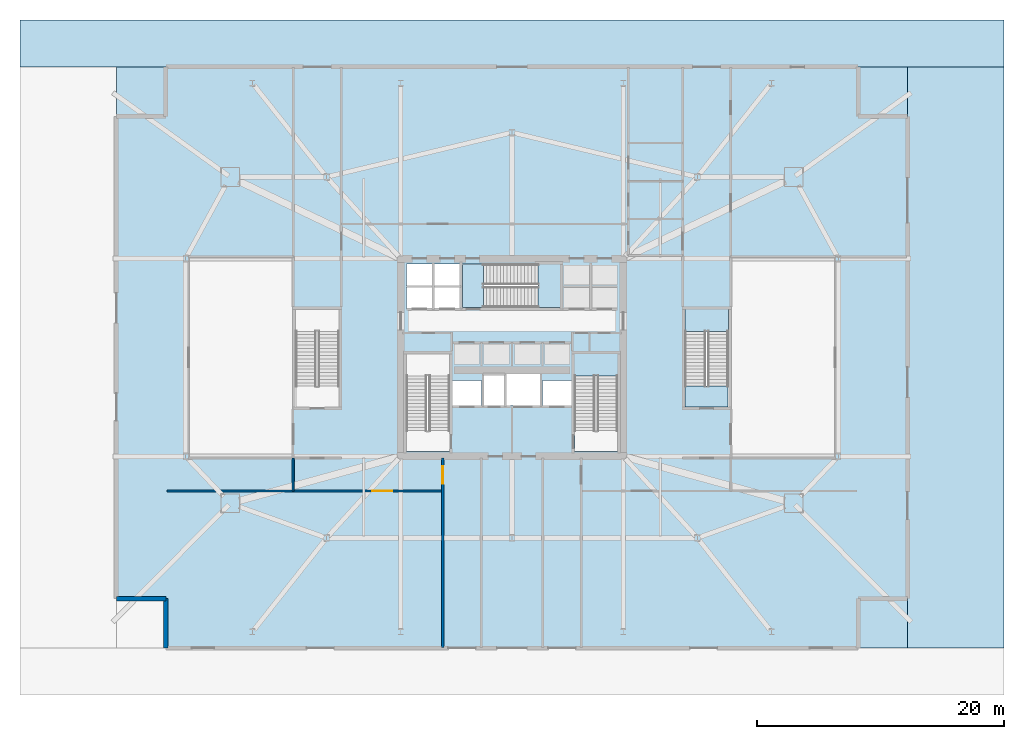
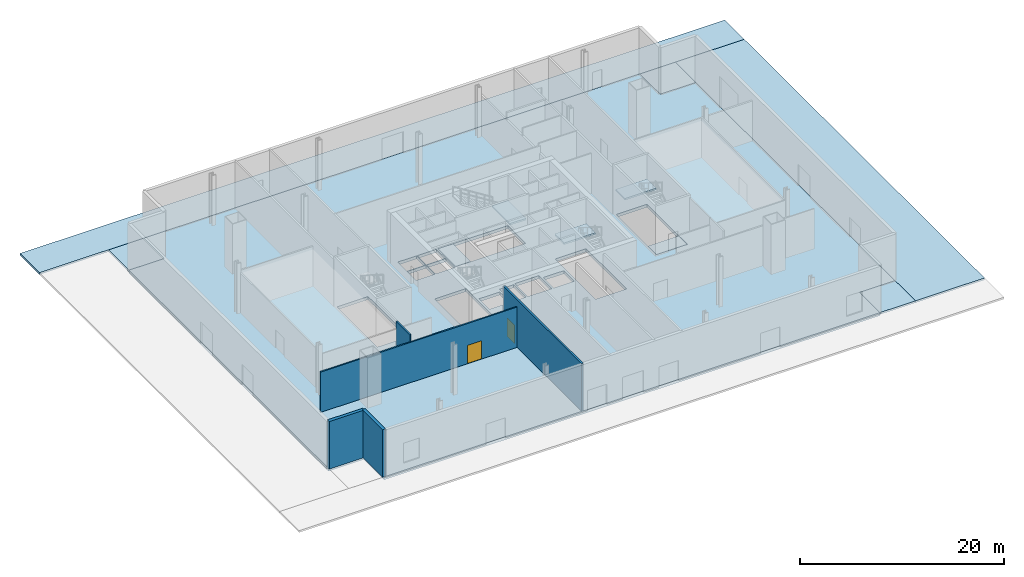
# One storey, part 2 of 10: 11 slabs, 5 walls, 2 doors, 2 openings, 3 elements without a shape of their own.
"""IFC4 building model written with IfcOpenShell, lengths in metres."""

from ifc_helpers import new_model, si_unit, direction, frame, frame_2d, origin, place, context, subcontext, project, spatial, polyline, rectangle, outline, extrude, material, layer, layer_set, type_object, element, fill, aggregate, save


model = new_model("IFC4")

# Units and contexts
model_context = context("Model", 3, precision=1e-05, world=origin(), true_north=direction((0.0, 1.0)))
body_context = subcontext(model_context, "Body", "Model", "MODEL_VIEW")
ifc_project = project(units=[si_unit("LENGTHUNIT", "METRE"), si_unit("AREAUNIT", "SQUARE_METRE"), si_unit("VOLUMEUNIT", "CUBIC_METRE"), si_unit("PLANEANGLEUNIT", "RADIAN"), si_unit("MASSUNIT", "GRAM", prefix="KILO")], contexts=[model_context])

# Site, building, storey
site_placement = place(None, origin())
site = spatial("IfcSite", under=ifc_project, at=site_placement, CompositionType="ELEMENT")
building_placement = place(site_placement, origin())
building = spatial("IfcBuilding", under=site, at=building_placement, Name="Haldenkirk Collegiate Tower", CompositionType="ELEMENT")
storey_placement = place(building_placement, origin())
storey = spatial("IfcBuildingStorey", under=building, at=storey_placement, Name="L00", CompositionType="ELEMENT", Elevation=0.0)

# Slab
ifc_material_1 = material(Name="Concrete f'c 40 MPa", Category="concrete")
ifc_layer_1 = layer(ifc_material_1, 0.360107421875)
ifc_layer_set_1 = layer_set([ifc_layer_1], Name="Concrete f'c 40 MPa")
slab_type_1 = type_object("IfcSlabType", Name="SLB-FLR-360", PredefinedType="FLOOR", material=ifc_layer_set_1)
slab_1_placement = place(storey_placement, frame((0.0, 0.0, -0.360107421875)))
element("IfcSlab", 1, at=slab_1_placement, inside=storey, type_object=slab_type_1, Name="L00 composite structural floor slab", PredefinedType="FLOOR", context=body_context, shape_type="SweptSolid", body=[
    extrude(outline(polyline([(8.0, 2.5), (64.0, 2.5), (64.0, 6.5), (68.0, 6.5), (68.0, 45.5), (64.0, 45.5), (64.0, 49.5), (8.0, 49.5), (8.0, 45.5), (4.0, 45.5), (4.0, 6.5), (8.0, 6.5), (8.0, 2.5)]), holes=[polyline([(27.449951171875, 18.39990234375), (30.949951171875, 18.39990234375), (30.949951171875, 26.300048828125), (27.449951171875, 26.300048828125), (27.449951171875, 18.39990234375)]), polyline([(41.050048828125, 18.39990234375), (44.550048828125, 18.39990234375), (44.550048828125, 26.300048828125), (41.050048828125, 26.300048828125), (41.050048828125, 18.39990234375)]), polyline([(32.0, 30.050048828125), (39.89990234375, 30.050048828125), (39.89990234375, 33.550048828125), (32.0, 33.550048828125), (32.0, 30.050048828125)]), polyline([(33.75, 22.10009765625), (35.35009765625, 22.10009765625), (35.35009765625, 24.550048828125), (33.75, 24.550048828125), (33.75, 22.10009765625)]), polyline([(18.5, 22.0), (22.0, 22.0), (22.0, 29.89990234375), (18.5, 29.89990234375), (18.5, 22.0)]), polyline([(50.0, 22.0), (53.5, 22.0), (53.5, 29.89990234375), (50.0, 29.89990234375), (50.0, 22.0)]), polyline([(27.449951171875, 29.949951171875), (29.580078125, 29.949951171875), (29.580078125, 31.699951171875), (27.449951171875, 31.699951171875), (27.449951171875, 29.949951171875)]), polyline([(29.679931640625, 29.949951171875), (31.85009765625, 29.949951171875), (31.85009765625, 31.699951171875), (29.679931640625, 31.699951171875), (29.679931640625, 29.949951171875)]), polyline([(27.449951171875, 31.800048828125), (29.580078125, 31.800048828125), (29.580078125, 33.550048828125), (27.449951171875, 33.550048828125), (27.449951171875, 31.800048828125)]), polyline([(29.679931640625, 31.800048828125), (31.85009765625, 31.800048828125), (31.85009765625, 33.550048828125), (29.679931640625, 33.550048828125), (29.679931640625, 31.800048828125)]), polyline([(31.199951171875, 22.10009765625), (33.550048828125, 22.10009765625), (33.550048828125, 24.14990234375), (31.199951171875, 24.14990234375), (31.199951171875, 22.10009765625)]), polyline([(38.449951171875, 22.10009765625), (40.800048828125, 22.10009765625), (40.800048828125, 24.14990234375), (38.449951171875, 24.14990234375), (38.449951171875, 22.10009765625)]), polyline([(35.550048828125, 22.10009765625), (38.25, 22.10009765625), (38.25, 24.64990234375), (35.550048828125, 24.64990234375), (35.550048828125, 22.10009765625)])]), origin(), (0.0, 0.0, 1.0), 0.360107421875),
])

# Stair, slab
stair_type = type_object("IfcStairType", Name="STR-DOGLEG-1650", PredefinedType="HALF_TURN_STAIR", material=ifc_material_1)
stair_1_placement = place(storey_placement, origin())
stair_1 = element("IfcStair", 2, at=stair_1_placement, inside=storey, type_object=stair_type, Name="L00 Core Exit Stair ST-2", PredefinedType="HALF_TURN_STAIR")
ifc_layer_2 = layer(ifc_material_1, 0.199951171875)
ifc_layer_set_2 = layer_set([ifc_layer_2], Name="Concrete f'c 40 MPa")
slab_type_2 = type_object("IfcSlabType", Name="SLB-LANDING-200", PredefinedType="LANDING", material=ifc_layer_set_2)
slab_2_placement = place(storey_placement, frame((0.0, 0.0, 2.800048828125)))
slab_2 = element("IfcSlab", 3, at=slab_2_placement, type_object=slab_type_2, Name="ST-2 landing 1", PredefinedType="LANDING", context=body_context, shape_type="SweptSolid", body=[
    extrude(outline(polyline([(44.574951171875, 24.5048828125), (41.02490234375, 24.5048828125), (41.02490234375, 26.324951171875), (44.574951171875, 26.324951171875), (44.574951171875, 24.5048828125)])), origin(), (0.0, 0.0, 1.0), 0.199951171875),
])
aggregate(stair_1, [slab_2])

stair_2_placement = place(storey_placement, origin())
stair_2 = element("IfcStair", 4, at=stair_2_placement, inside=storey, type_object=stair_type, Name="L00 Core Exit Stair ST-3", PredefinedType="HALF_TURN_STAIR")
slab_3_placement = place(storey_placement, frame((0.0, 0.0, 2.800048828125)))
slab_3 = element("IfcSlab", 5, at=slab_3_placement, type_object=slab_type_2, Name="ST-3 landing 1", PredefinedType="LANDING", context=body_context, shape_type="SweptSolid", body=[
    extrude(outline(polyline([(38.10498046875, 30.02490234375), (38.10498046875, 33.574951171875), (39.925048828125, 33.574951171875), (39.925048828125, 30.02490234375), (38.10498046875, 30.02490234375)])), origin(), (0.0, 0.0, 1.0), 0.199951171875),
])
aggregate(stair_2, [slab_3])

stair_3_placement = place(storey_placement, origin())
stair_3 = element("IfcStair", 6, at=stair_3_placement, inside=storey, type_object=stair_type, Name="L00 Podium Exit Stair ST-5", PredefinedType="HALF_TURN_STAIR")
slab_4_placement = place(storey_placement, frame((0.0, 0.0, 2.800048828125)))
slab_4 = element("IfcSlab", 7, at=slab_4_placement, type_object=slab_type_2, Name="ST-5 landing 1", PredefinedType="LANDING", context=body_context, shape_type="SweptSolid", body=[
    extrude(outline(polyline([(53.52490234375, 28.10498046875), (49.97509765625, 28.10498046875), (49.97509765625, 29.925048828125), (53.52490234375, 29.925048828125), (53.52490234375, 28.10498046875)])), origin(), (0.0, 0.0, 1.0), 0.199951171875),
])
aggregate(stair_3, [slab_4])

# Slabs
ifc_material_2 = material(Name="Flamed granite plaza paving", Category="masonry")
ifc_layer_3 = layer(ifc_material_2, 0.219970703125)
ifc_layer_set_3 = layer_set([ifc_layer_3], Name="Flamed granite plaza paving")
slab_type_3 = type_object("IfcSlabType", Name="SLB-PLAZA-220", PredefinedType="USERDEFINED", material=ifc_layer_set_3)
slab_5_placement = place(storey_placement, frame((0.0, 0.0, -0.219970703125)))
element("IfcSlab", 8, at=slab_5_placement, inside=storey, type_object=slab_type_3, Name="L00 campus garden plaza paving PLAZA-N", ObjectType="PAVING", PredefinedType="USERDEFINED", context=body_context, shape_type="SweptSolid", body=[
    extrude(outline(polyline([(-3.800048828125, 49.5), (75.800048828125, 49.5), (75.800048828125, 53.300048828125), (-3.800048828125, 53.300048828125), (-3.800048828125, 49.5)])), origin(), (0.0, 0.0, 1.0), 0.219970703125),
])
slab_6_placement = place(storey_placement, frame((0.0, 0.0, -0.219970703125)))
element("IfcSlab", 9, at=slab_6_placement, inside=storey, type_object=slab_type_3, Name="L00 campus garden plaza paving PLAZA-E", ObjectType="PAVING", PredefinedType="USERDEFINED", context=body_context, shape_type="SweptSolid", body=[
    extrude(outline(polyline([(68.0, 2.5), (75.800048828125, 2.5), (75.800048828125, 49.5), (68.0, 49.5), (68.0, 2.5)])), origin(), (0.0, 0.0, 1.0), 0.219970703125),
])
slab_7_placement = place(storey_placement, frame((0.0, 0.0, -0.219970703125)))
element("IfcSlab", 10, at=slab_7_placement, inside=storey, type_object=slab_type_3, Name="L00 campus garden plaza paving PLAZA-CSE", ObjectType="PAVING", PredefinedType="USERDEFINED", context=body_context, shape_type="SweptSolid", body=[
    extrude(outline(polyline([(64.0, 2.5), (68.0, 2.5), (68.0, 6.5), (64.0, 6.5), (64.0, 2.5)])), origin(), (0.0, 0.0, 1.0), 0.219970703125),
])
slab_8_placement = place(storey_placement, frame((0.0, 0.0, -0.219970703125)))
element("IfcSlab", 11, at=slab_8_placement, inside=storey, type_object=slab_type_3, Name="L00 campus garden plaza paving PLAZA-CNE", ObjectType="PAVING", PredefinedType="USERDEFINED", context=body_context, shape_type="SweptSolid", body=[
    extrude(outline(polyline([(64.0, 45.5), (68.0, 45.5), (68.0, 49.5), (64.0, 49.5), (64.0, 45.5)])), origin(), (0.0, 0.0, 1.0), 0.219970703125),
])
slab_9_placement = place(storey_placement, frame((0.0, 0.0, -0.219970703125)))
element("IfcSlab", 12, at=slab_9_placement, inside=storey, type_object=slab_type_3, Name="L00 campus garden plaza paving PLAZA-CNW", ObjectType="PAVING", PredefinedType="USERDEFINED", context=body_context, shape_type="SweptSolid", body=[
    extrude(outline(polyline([(4.0, 45.5), (8.0, 45.5), (8.0, 49.5), (4.0, 49.5), (4.0, 45.5)])), origin(), (0.0, 0.0, 1.0), 0.219970703125),
])
ifc_layer_4 = layer(ifc_material_1, 0.25)
ifc_layer_set_4 = layer_set([ifc_layer_4], Name="Concrete f'c 40 MPa")
slab_type_4 = type_object("IfcSlabType", Name="SLB-STAIRLAND-250", PredefinedType="LANDING", material=ifc_layer_set_4)
slab_10_placement = place(storey_placement, frame((0.0, 0.0, -0.25)))
element("IfcSlab", 13, at=slab_10_placement, inside=storey, type_object=slab_type_4, Name="L00 stair ST3 structural floor landing slab", PredefinedType="LANDING", context=body_context, shape_type="SweptSolid", body=[
    extrude(outline(polyline([(32.010009765625, 30.06005859375), (33.679931640625, 30.06005859375), (33.679931640625, 33.5400390625), (32.010009765625, 33.5400390625), (32.010009765625, 30.06005859375)])), origin(), (0.0, 0.0, 1.0), 0.25),
])
slab_11_placement = place(storey_placement, frame((0.0, 0.0, -0.25)))
element("IfcSlab", 14, at=slab_11_placement, inside=storey, type_object=slab_type_4, Name="L00 stair ST5 structural floor landing slab", PredefinedType="LANDING", context=body_context, shape_type="SweptSolid", body=[
    extrude(outline(polyline([(50.010009765625, 22.010009765625), (53.489990234375, 22.010009765625), (53.489990234375, 23.679931640625), (50.010009765625, 23.679931640625), (50.010009765625, 22.010009765625)])), origin(), (0.0, 0.0, 1.0), 0.25),
])

# Walls
ifc_material_3 = material(Name="Precast concrete f'c 40 MPa", Category="concrete")
ifc_layer_5 = layer(ifc_material_3, 0.360107421875)
ifc_layer_set_5 = layer_set([ifc_layer_5], Name="Precast concrete f'c 40 MPa")
wall_type_1 = type_object("IfcWallType", Name="WL-EXT-POD-360", PredefinedType="STANDARD", material=ifc_layer_set_5)
for number, where, z_axis, x_axis, name in (
    (15, (8.0, 6.5, 0.0), (0.0, 0.0, 1.0), (-1.0, 0.0, 0.0), "L00 podium bronze precast wall 11"),
    (16, (8.0, 2.5, 0.0), (0.0, 0.0, 1.0), (0.0, 1.0, 0.0), "L00 podium bronze precast wall 12"),
):
    element("IfcWall", number, at=place(storey_placement, frame(where, z_axis=z_axis, x_axis=x_axis)), inside=storey, type_object=wall_type_1, Name=name, PredefinedType="STANDARD", context=body_context, shape_type="SweptSolid", body=[
        extrude(rectangle(XDim=4.0, YDim=0.360107421875, at=frame_2d((2.0, 0.0))), origin(), (0.0, 0.0, 1.0), 5.669921875),
    ])
ifc_material_4 = material(Name="Acoustic fire-rated gypsum partition", Category="concrete")
ifc_layer_6 = layer(ifc_material_4, 0.159912109375)
ifc_layer_set_6 = layer_set([ifc_layer_6], Name="Acoustic fire-rated gypsum partition")
wall_type_2 = type_object("IfcWallType", Name="WL-INT-CORR-160", PredefinedType="PARTITIONING", material=ifc_layer_set_6)
wall_1_placement = place(storey_placement, frame((18.300048828125, 15.199951171875, 0.0), z_axis=(0.0, 0.0, 1.0), x_axis=(0.0, 1.0, 0.0)))
element("IfcWall", 17, at=wall_1_placement, inside=storey, type_object=wall_type_2, Name="L00 interior partition IW-L00-CSW", PredefinedType="PARTITIONING", context=body_context, shape_type="SweptSolid", body=[
    extrude(rectangle(XDim=2.650146484375, YDim=0.159912109375, at=frame_2d((1.3251953125, 0.0))), origin(), (0.0, 0.0, 1.0), 5.669921875),
])

# Wall, opening, door
wall_2_placement = place(storey_placement, frame((8.10009765625, 15.199951171875, 0.0), z_axis=(0.0, 0.0, 1.0), x_axis=(1.0, 0.0, 0.0)))
wall_2 = element("IfcWall", 18, at=wall_2_placement, inside=storey, type_object=wall_type_2, Name="L00 interior partition IW-L00-FOYS", PredefinedType="PARTITIONING", context=body_context, shape_type="SweptSolid", body=[
    extrude(rectangle(XDim=22.2998046875, YDim=0.159912109375, at=frame_2d((11.14990234375, 0.0))), origin(), (0.0, 0.0, 1.0), 4.802978515625),
])
opening_1_placement = place(wall_2_placement, frame((16.60009765625, 0.0, 0.0)))
opening_1 = element("IfcOpeningElement", 19, at=opening_1_placement, cuts=wall_2, Name="Opening D-08", PredefinedType="OPENING", context=body_context, shape_type="SweptSolid", body=[
    extrude(rectangle(XDim=1.60009765625, YDim=2.199951171875, at=frame_2d((0.800048828125, 1.10009765625))), frame((0.0, 0.08984375, 0.0), z_axis=(0.0, -1.0, 0.0), x_axis=(1.0, 0.0, 0.0)), (0.0, 0.0, 1.0), 0.179931640625),
])
ifc_material_5 = material(Name="Solid-core architectural oak fire door", Category="wood")
ifc_layer_7 = layer(ifc_material_5, 0.06005859375)
ifc_layer_set_7 = layer_set([ifc_layer_7], Name="Solid-core architectural oak fire door")
door_type_1 = type_object("IfcDoorType", Name="DR-DBL-FD60-1600", OperationType="NOTDEFINED", PredefinedType="DOOR", material=ifc_layer_set_7)
door_1_placement = place(opening_1_placement, origin())
door_1 = element("IfcDoor", 20, at=door_1_placement, inside=storey, type_object=door_type_1, Name="West foyer corridor door", OperationType="DOUBLE_DOOR_SINGLE_SWING", OverallHeight=2.199951171875, OverallWidth=1.60009765625, PredefinedType="DOOR", context=body_context, shape_type="SweptSolid", body=[
    extrude(rectangle(XDim=1.60009765625, YDim=2.199951171875, at=frame_2d((0.800048828125, 1.10009765625))), frame((0.0, 0.02490234375, 0.0), z_axis=(0.0, -1.0, 0.0), x_axis=(1.0, 0.0, 0.0)), (0.0, 0.0, 1.0), 0.050048828125),
])
fill(opening_1, door_1)

ifc_material_6 = material(Name="Fire-rated gypsum shaftboard assembly", Category="concrete")
ifc_layer_8 = layer(ifc_material_6, 0.199951171875)
ifc_layer_set_8 = layer_set([ifc_layer_8], Name="Fire-rated gypsum shaftboard assembly")
wall_type_3 = type_object("IfcWallType", Name="WL-INT-SHAFT-200", PredefinedType="PARTITIONING", material=ifc_layer_set_8)
wall_3_placement = place(storey_placement, frame((30.39990234375, 2.550048828125, 0.0), z_axis=(0.0, 0.0, 1.0), x_axis=(0.0, 1.0, 0.0)))
wall_3 = element("IfcWall", 21, at=wall_3_placement, inside=storey, type_object=wall_type_3, Name="L00 interior partition IW-L00-EP1W", PredefinedType="PARTITIONING", context=body_context, shape_type="SweptSolid", body=[
    extrude(rectangle(XDim=15.300048828125, YDim=0.199951171875, at=frame_2d((7.64990234375, 0.0))), origin(), (0.0, 0.0, 1.0), 5.669921875),
])
opening_2_placement = place(wall_3_placement, frame((13.25, 0.0, 0.0)))
opening_2 = element("IfcOpeningElement", 22, at=opening_2_placement, cuts=wall_3, Name="Opening D-03", PredefinedType="OPENING", context=body_context, shape_type="SweptSolid", body=[
    extrude(rectangle(XDim=1.39990234375, YDim=2.199951171875, at=frame_2d((0.699951171875, 1.10009765625))), frame((0.0, 0.10986328125, 0.0), z_axis=(0.0, -1.0, 0.0), x_axis=(1.0, 0.0, 0.0)), (0.0, 0.0, 1.0), 0.219970703125),
])
ifc_material_7 = material(Name="Galvanized fire-rated hollow steel door", Category="steel")
ifc_layer_9 = layer(ifc_material_7, 0.06005859375)
ifc_layer_set_9 = layer_set([ifc_layer_9], Name="Galvanized fire-rated hollow steel door")
door_type_2 = type_object("IfcDoorType", Name="DR-LOBBY-FD90-1400", OperationType="NOTDEFINED", PredefinedType="DOOR", material=ifc_layer_set_9)
door_2_placement = place(opening_2_placement, origin())
door_2 = element("IfcDoor", 23, at=door_2_placement, inside=storey, type_object=door_type_2, Name="L00 exit passage SW door", OperationType="DOUBLE_DOOR_SINGLE_SWING", OverallHeight=2.199951171875, OverallWidth=1.39990234375, PredefinedType="DOOR", context=body_context, shape_type="SweptSolid", body=[
    extrude(rectangle(XDim=1.39990234375, YDim=2.199951171875, at=frame_2d((0.699951171875, 1.10009765625))), frame((0.0, 0.02490234375, 0.0), z_axis=(0.0, -1.0, 0.0), x_axis=(1.0, 0.0, 0.0)), (0.0, 0.0, 1.0), 0.050048828125),
])
fill(opening_2, door_2)

save(model, "model.ifc")
